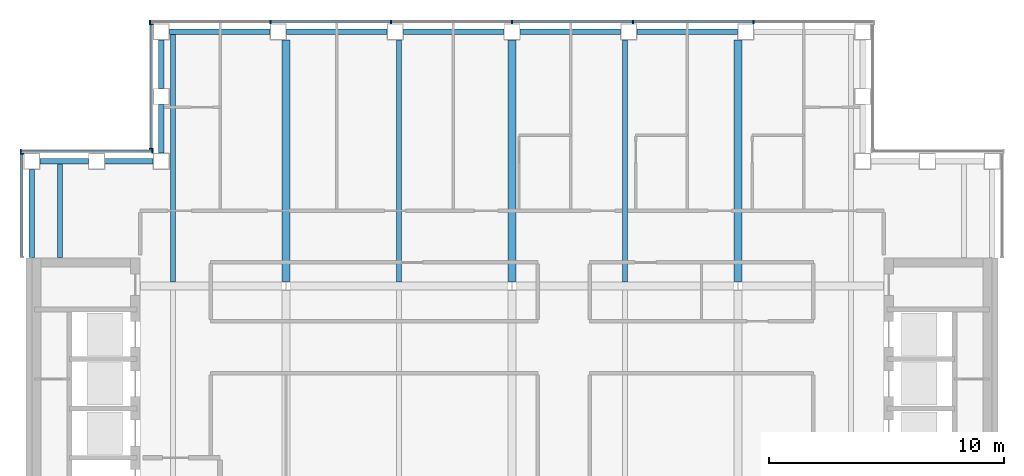
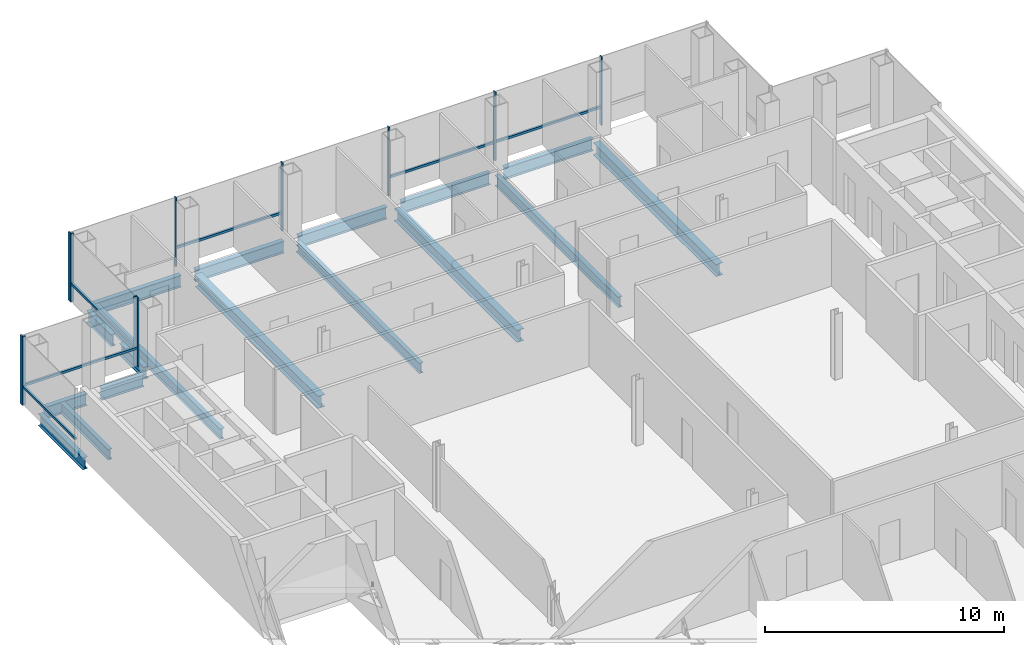
# One storey, part 7 of 15: 17 beams, 17 members, 4 elements without a shape of their own.
"""IFC4 building model written with IfcOpenShell, lengths in metres."""

from ifc_helpers import new_model, si_unit, direction, frame, origin, origin_2d, place, context, subcontext, project, spatial, rectangle, i_section, extrude, material, material_profile, profile_set, type_object, element, aggregate, save


model = new_model("IFC4")

# Units and contexts
model_context = context("Model", 3, precision=1e-05, world=origin(), true_north=direction((0.0, 1.0)))
body_context = subcontext(model_context, "Body", "Model", "MODEL_VIEW")
ifc_project = project(units=[si_unit("LENGTHUNIT", "METRE"), si_unit("AREAUNIT", "SQUARE_METRE"), si_unit("VOLUMEUNIT", "CUBIC_METRE"), si_unit("PLANEANGLEUNIT", "RADIAN"), si_unit("MASSUNIT", "GRAM", prefix="KILO")], contexts=[model_context])

# Site, building, storey
site_placement = place(None, origin())
site = spatial("IfcSite", under=ifc_project, at=site_placement, CompositionType="ELEMENT")
building_placement = place(site_placement, origin())
building = spatial("IfcBuilding", under=site, at=building_placement, Name="Cobrizo Arcos Hotel Tower", CompositionType="ELEMENT")
storey_placement = place(building_placement, frame((0.0, 0.0, 215.5)))
storey = spatial("IfcBuildingStorey", under=building, at=storey_placement, Name="L56", CompositionType="ELEMENT", Elevation=215.5)

# Curtain wall, members
ifc_material_1 = material(Name="Aluminium 6063-T6 anodised bronze", Category="aluminium")
curtain_wall_type = type_object("IfcCurtainWallType", Name="CW-A guest facade", PredefinedType="NOTDEFINED", material=ifc_material_1)
curtain_wall_1_placement = place(storey_placement, origin())
curtain_wall_1 = element("IfcCurtainWall", 1, at=curtain_wall_1_placement, inside=storey, type_object=curtain_wall_type, Name="CW-A L56 N face", PredefinedType="NOTDEFINED")
ifc_material_profile_1 = material_profile(ifc_material_1, rectangle(XDim=0.14990234375, YDim=0.06005859375, at=origin_2d()), Name="CW-A mullion 150x60")
ifc_profile_set_1 = profile_set([ifc_material_profile_1], Name="Aluminium 6063-T6 anodised bronze")
member_type_1 = type_object("IfcMemberType", Name="CW-A mullion 150x60", PredefinedType="MULLION", material=ifc_profile_set_1)
member_1_placement = place(storey_placement, frame((10.2666015625, 20.824951171875, 0.0), z_axis=(0.0, 0.0, 1.0), x_axis=(0.0, 1.0, 0.0)))
member_1 = element("IfcMember", 2, at=member_1_placement, type_object=member_type_1, Name="CW-A mullion 2", PredefinedType="MULLION", context=body_context, shape_type="SweptSolid", body=[
    extrude(rectangle(XDim=0.14990234375, YDim=0.06005859375, at=origin_2d()), origin(), (0.0, 0.0, 1.0), 3.5),
])
member_2_placement = place(storey_placement, frame((5.13330078125, 20.824951171875, 0.0), z_axis=(0.0, 0.0, 1.0), x_axis=(0.0, 1.0, 0.0)))
member_2 = element("IfcMember", 3, at=member_2_placement, type_object=member_type_1, Name="CW-A mullion 3", PredefinedType="MULLION", context=body_context, shape_type="SweptSolid", body=[
    extrude(rectangle(XDim=0.14990234375, YDim=0.06005859375, at=origin_2d()), origin(), (0.0, 0.0, 1.0), 3.5),
])
member_3_placement = place(storey_placement, frame((0.0, 20.824951171875, 0.0), z_axis=(0.0, 0.0, 1.0), x_axis=(0.0, 1.0, 0.0)))
member_3 = element("IfcMember", 4, at=member_3_placement, type_object=member_type_1, Name="CW-A mullion 4", PredefinedType="MULLION", context=body_context, shape_type="SweptSolid", body=[
    extrude(rectangle(XDim=0.14990234375, YDim=0.06005859375, at=origin_2d()), origin(), (0.0, 0.0, 1.0), 3.5),
])
member_4_placement = place(storey_placement, frame((-5.13330078125, 20.824951171875, 0.0), z_axis=(0.0, 0.0, 1.0), x_axis=(0.0, 1.0, 0.0)))
member_4 = element("IfcMember", 5, at=member_4_placement, type_object=member_type_1, Name="CW-A mullion 5", PredefinedType="MULLION", context=body_context, shape_type="SweptSolid", body=[
    extrude(rectangle(XDim=0.14990234375, YDim=0.06005859375, at=origin_2d()), origin(), (0.0, 0.0, 1.0), 3.5),
])
member_5_placement = place(storey_placement, frame((-10.2666015625, 20.824951171875, 0.0), z_axis=(0.0, 0.0, 1.0), x_axis=(0.0, 1.0, 0.0)))
member_5 = element("IfcMember", 6, at=member_5_placement, type_object=member_type_1, Name="CW-A mullion 6", PredefinedType="MULLION", context=body_context, shape_type="SweptSolid", body=[
    extrude(rectangle(XDim=0.14990234375, YDim=0.06005859375, at=origin_2d()), origin(), (0.0, 0.0, 1.0), 3.5),
])
member_6_placement = place(storey_placement, frame((-15.3701171875, 20.824951171875, 0.0), z_axis=(0.0, 0.0, 1.0), x_axis=(0.0, 1.0, 0.0)))
member_6 = element("IfcMember", 7, at=member_6_placement, type_object=member_type_1, Name="CW-A mullion 7", PredefinedType="MULLION", context=body_context, shape_type="SweptSolid", body=[
    extrude(rectangle(XDim=0.14990234375, YDim=0.06005859375, at=origin_2d()), origin(), (0.0, 0.0, 1.0), 3.5),
])

curtain_wall_2_placement = place(storey_placement, origin())
curtain_wall_2 = element("IfcCurtainWall", 8, at=curtain_wall_2_placement, inside=storey, type_object=curtain_wall_type, Name="CW-A L56 W face", PredefinedType="NOTDEFINED")
member_7_placement = place(storey_placement, frame((-15.324951171875, 20.719970703125, 0.0), z_axis=(0.0, 0.0, 1.0), x_axis=(-1.0, 0.0, 0.0)))
member_7 = element("IfcMember", 9, at=member_7_placement, type_object=member_type_1, Name="CW-A mullion 1", PredefinedType="MULLION", context=body_context, shape_type="SweptSolid", body=[
    extrude(rectangle(XDim=0.14990234375, YDim=0.06005859375, at=origin_2d()), origin(), (0.0, 0.0, 1.0), 3.5),
])
member_8_placement = place(storey_placement, frame((-15.324951171875, 15.429931640625, 0.0), z_axis=(0.0, 0.0, 1.0), x_axis=(-1.0, 0.0, 0.0)))
member_8 = element("IfcMember", 10, at=member_8_placement, type_object=member_type_1, Name="CW-A mullion 2", PredefinedType="MULLION", context=body_context, shape_type="SweptSolid", body=[
    extrude(rectangle(XDim=0.14990234375, YDim=0.06005859375, at=origin_2d()), origin(), (0.0, 0.0, 1.0), 3.5),
])

curtain_wall_3_placement = place(storey_placement, origin())
curtain_wall_3 = element("IfcCurtainWall", 11, at=curtain_wall_3_placement, inside=storey, type_object=curtain_wall_type, Name="CW-A L56 N face", PredefinedType="NOTDEFINED")
member_9_placement = place(storey_placement, frame((-15.280029296875, 15.324951171875, 0.0), z_axis=(0.0, 0.0, 1.0), x_axis=(0.0, 1.0, 0.0)))
member_9 = element("IfcMember", 12, at=member_9_placement, type_object=member_type_1, Name="CW-A mullion 1", PredefinedType="MULLION", context=body_context, shape_type="SweptSolid", body=[
    extrude(rectangle(XDim=0.14990234375, YDim=0.06005859375, at=origin_2d()), origin(), (0.0, 0.0, 1.0), 3.5),
])
member_10_placement = place(storey_placement, frame((-20.8701171875, 15.324951171875, 0.0), z_axis=(0.0, 0.0, 1.0), x_axis=(0.0, 1.0, 0.0)))
member_10 = element("IfcMember", 13, at=member_10_placement, type_object=member_type_1, Name="CW-A mullion 2", PredefinedType="MULLION", context=body_context, shape_type="SweptSolid", body=[
    extrude(rectangle(XDim=0.14990234375, YDim=0.06005859375, at=origin_2d()), origin(), (0.0, 0.0, 1.0), 3.5),
])

# Curtain wall, member
curtain_wall_4_placement = place(storey_placement, origin())
curtain_wall_4 = element("IfcCurtainWall", 14, at=curtain_wall_4_placement, inside=storey, type_object=curtain_wall_type, Name="CW-A L56 W face", PredefinedType="NOTDEFINED")
member_11_placement = place(storey_placement, frame((-20.824951171875, 15.219970703125, 0.0), z_axis=(0.0, 0.0, 1.0), x_axis=(-1.0, 0.0, 0.0)))
member_11 = element("IfcMember", 15, at=member_11_placement, type_object=member_type_1, Name="CW-A mullion 1", PredefinedType="MULLION", context=body_context, shape_type="SweptSolid", body=[
    extrude(rectangle(XDim=0.14990234375, YDim=0.06005859375, at=origin_2d()), origin(), (0.0, 0.0, 1.0), 3.5),
])

# Member
ifc_material_profile_2 = material_profile(ifc_material_1, rectangle(XDim=0.10009765625, YDim=0.1201171875, at=origin_2d()), Name="CW-A transom 120x100")
ifc_profile_set_2 = profile_set([ifc_material_profile_2], Name="Aluminium 6063-T6 anodised bronze")
member_type_2 = type_object("IfcMemberType", Name="CW-A transom 120x100", PredefinedType="USERDEFINED", material=ifc_profile_set_2)
member_12_placement = place(storey_placement, frame((10.236572265625, 20.824951171875, 0.929931640625), z_axis=(-1.0, 0.0, 0.0), x_axis=(0.0, -1.0, 0.0)))
member_12 = element("IfcMember", 16, at=member_12_placement, type_object=member_type_2, Name="CW-A transom 1877", ObjectType="TRANSOM", PredefinedType="USERDEFINED", context=body_context, shape_type="SweptSolid", body=[
    extrude(rectangle(XDim=0.10009765625, YDim=0.1201171875, at=origin_2d()), origin(), (0.0, 0.0, 1.0), 5.0732421875),
])

member_13_placement = place(storey_placement, frame((5.103271484375, 20.824951171875, 0.929931640625), z_axis=(-1.0, 0.0, 0.0), x_axis=(0.0, -1.0, 0.0)))
member_13 = element("IfcMember", 17, at=member_13_placement, type_object=member_type_2, Name="CW-A transom 1878", ObjectType="TRANSOM", PredefinedType="USERDEFINED", context=body_context, shape_type="SweptSolid", body=[
    extrude(rectangle(XDim=0.10009765625, YDim=0.1201171875, at=origin_2d()), origin(), (0.0, 0.0, 1.0), 5.0732421875),
])

member_14_placement = place(storey_placement, frame((-5.163330078125, 20.824951171875, 0.929931640625), z_axis=(-1.0, 0.0, 0.0), x_axis=(0.0, -1.0, 0.0)))
member_14 = element("IfcMember", 18, at=member_14_placement, type_object=member_type_2, Name="CW-A transom 1880", ObjectType="TRANSOM", PredefinedType="USERDEFINED", context=body_context, shape_type="SweptSolid", body=[
    extrude(rectangle(XDim=0.10009765625, YDim=0.1201171875, at=origin_2d()), origin(), (0.0, 0.0, 1.0), 5.0732421875),
])

aggregate(curtain_wall_1, [member_1, member_2, member_3, member_4, member_5, member_6, member_12, member_13, member_14])

member_15_placement = place(storey_placement, frame((-15.324951171875, 20.68994140625, 0.929931640625), z_axis=(0.0, -1.0, 0.0), x_axis=(1.0, 0.0, 0.0)))
member_15 = element("IfcMember", 19, at=member_15_placement, type_object=member_type_2, Name="CW-A transom 1882", ObjectType="TRANSOM", PredefinedType="USERDEFINED", context=body_context, shape_type="SweptSolid", body=[
    extrude(rectangle(XDim=0.10009765625, YDim=0.1201171875, at=origin_2d()), origin(), (0.0, 0.0, 1.0), 5.22998046875),
])

aggregate(curtain_wall_2, [member_7, member_8, member_15])

member_16_placement = place(storey_placement, frame((-15.31005859375, 15.324951171875, 0.929931640625), z_axis=(-1.0, 0.0, 0.0), x_axis=(0.0, -1.0, 0.0)))
member_16 = element("IfcMember", 20, at=member_16_placement, type_object=member_type_2, Name="CW-A transom 1883", ObjectType="TRANSOM", PredefinedType="USERDEFINED", context=body_context, shape_type="SweptSolid", body=[
    extrude(rectangle(XDim=0.10009765625, YDim=0.1201171875, at=origin_2d()), origin(), (0.0, 0.0, 1.0), 5.530029296875),
])

aggregate(curtain_wall_3, [member_9, member_10, member_16])

member_17_placement = place(storey_placement, frame((-20.824951171875, 15.18994140625, 0.929931640625), z_axis=(0.0, -1.0, 0.0), x_axis=(1.0, 0.0, 0.0)))
member_17 = element("IfcMember", 21, at=member_17_placement, type_object=member_type_2, Name="CW-A transom 1884", ObjectType="TRANSOM", PredefinedType="USERDEFINED", context=body_context, shape_type="SweptSolid", body=[
    extrude(rectangle(XDim=0.10009765625, YDim=0.1201171875, at=origin_2d()), origin(), (0.0, 0.0, 1.0), 4.329833984375),
])

aggregate(curtain_wall_4, [member_11, member_17])

# Beams
ifc_material_2 = material(Name="Steel ASTM A992 Grade 50", Category="steel")
ifc_material_profile_3 = material_profile(ifc_material_2, i_section(OverallWidth=0.209228515625, OverallDepth=0.533447265625, WebThickness=0.01025390625, FlangeThickness=0.015625, at=origin_2d()), Name="W21X62")
ifc_profile_set_3 = profile_set([ifc_material_profile_3], Name="Steel ASTM A992 Grade 50")
beam_type_1 = type_object("IfcBeamType", Name="W21X62 joist", PredefinedType="JOIST", material=ifc_profile_set_3)
beam_1_placement = place(storey_placement, frame((-19.199951171875, 10.81005859375, -0.416748046875), z_axis=(0.0, 1.0, 0.0), x_axis=(-1.0, 0.0, 0.0)))
element("IfcBeam", 22, at=beam_1_placement, inside=storey, type_object=beam_type_1, Name="Floor joist J1, L56, no. 002", PredefinedType="JOIST", context=body_context, shape_type="SweptSolid", body=[
    extrude(i_section(OverallWidth=0.209228515625, OverallDepth=0.533447265625, WebThickness=0.01025390625, FlangeThickness=0.015625, at=origin_2d()), origin(), (0.0, 0.0, 1.0), 4.0),
])
beam_2_placement = place(storey_placement, frame((-14.39990234375, 9.763916015625, -0.416748046875), z_axis=(0.0, 1.0, 0.0), x_axis=(-1.0, 0.0, 0.0)))
element("IfcBeam", 23, at=beam_2_placement, inside=storey, type_object=beam_type_1, Name="Floor joist J1, L56, no. 006", PredefinedType="JOIST", context=body_context, shape_type="SweptSolid", body=[
    extrude(i_section(OverallWidth=0.209228515625, OverallDepth=0.533447265625, WebThickness=0.01025390625, FlangeThickness=0.015625, at=origin_2d()), origin(), (0.0, 0.0, 1.0), 10.546142578125),
])
for number, where, z_axis, x_axis, name in (
    (24, (-4.800048828125, 9.763916015625, -0.416748046875), (0.0, 1.0, 0.0), (-1.0, 0.0, 0.0), "Floor joist J1, L56, no. 010"),
    (25, (4.800048828125, 9.763916015625, -0.416748046875), (0.0, 1.0, 0.0), (-1.0, 0.0, 0.0), "Floor joist J1, L56, no. 014"),
):
    element("IfcBeam", number, at=place(storey_placement, frame(where, z_axis=z_axis, x_axis=x_axis)), inside=storey, type_object=beam_type_1, Name=name, PredefinedType="JOIST", context=body_context, shape_type="SweptSolid", body=[
        extrude(i_section(OverallWidth=0.209228515625, OverallDepth=0.533447265625, WebThickness=0.01025390625, FlangeThickness=0.015625, at=origin_2d()), origin(), (0.0, 0.0, 1.0), 10.2861328125),
    ])
ifc_material_profile_4 = material_profile(ifc_material_2, i_section(OverallWidth=0.32763671875, OverallDepth=0.622314453125, WebThickness=0.015380859375, FlangeThickness=0.0244140625, at=origin_2d()), Name="W24X131")
ifc_profile_set_4 = profile_set([ifc_material_profile_4], Name="Steel ASTM A992 Grade 50")
beam_type_2 = type_object("IfcBeamType", Name="W24X131 girder", PredefinedType="BEAM", material=ifc_profile_set_4)
for number, where, z_axis, x_axis, name in (
    (26, (-9.60009765625, 9.78662109375, -0.461181640625), (0.0, 1.0, 0.0), (-1.0, 0.0, 0.0), "Floor girder G1, L56, no. 016"),
    (27, (0.0, 9.78662109375, -0.461181640625), (0.0, 1.0, 0.0), (-1.0, 0.0, 0.0), "Floor girder G1, L56, no. 020"),
    (28, (9.60009765625, 9.78662109375, -0.461181640625), (0.0, 1.0, 0.0), (-1.0, 0.0, 0.0), "Floor girder G1, L56, no. 024"),
):
    element("IfcBeam", number, at=place(storey_placement, frame(where, z_axis=z_axis, x_axis=x_axis)), inside=storey, type_object=beam_type_2, Name=name, PredefinedType="BEAM", context=body_context, shape_type="SweptSolid", body=[
        extrude(i_section(OverallWidth=0.32763671875, OverallDepth=0.622314453125, WebThickness=0.015380859375, FlangeThickness=0.0244140625, at=origin_2d()), origin(), (0.0, 0.0, 1.0), 10.263427734375),
    ])
ifc_material_profile_5 = material_profile(ifc_material_2, i_section(OverallWidth=0.228271484375, OverallDepth=0.607177734375, WebThickness=0.01123046875, FlangeThickness=0.017333984375, at=origin_2d()), Name="W24X76")
ifc_profile_set_5 = profile_set([ifc_material_profile_5], Name="Steel ASTM A992 Grade 50")
beam_type_3 = type_object("IfcBeamType", Name="W24X76 spandrel", PredefinedType="SPANDREL", material=ifc_profile_set_5)
beam_3_placement = place(storey_placement, frame((9.5830078125, 20.39990234375, -0.45361328125), z_axis=(-1.0, 0.0, 0.0), x_axis=(0.0, -1.0, 0.0)))
element("IfcBeam", 29, at=beam_3_placement, inside=storey, type_object=beam_type_3, Name="Spandrel beam W24X76, L56, no. 018", PredefinedType="SPANDREL", context=body_context, shape_type="SweptSolid", body=[
    extrude(i_section(OverallWidth=0.228271484375, OverallDepth=0.607177734375, WebThickness=0.01123046875, FlangeThickness=0.017333984375, at=origin_2d()), origin(), (0.0, 0.0, 1.0), 4.26611328125),
])
for number, where, z_axis, x_axis, name in (
    (30, (4.616943359375, 20.39990234375, -0.45361328125), (-1.0, 0.0, 0.0), (0.0, -1.0, 0.0), "Spandrel beam W24X76, L56, no. 019"),
    (31, (-0.35009765625, 20.39990234375, -0.45361328125), (-1.0, 0.0, 0.0), (0.0, -1.0, 0.0), "Spandrel beam W24X76, L56, no. 020"),
):
    element("IfcBeam", number, at=place(storey_placement, frame(where, z_axis=z_axis, x_axis=x_axis)), inside=storey, type_object=beam_type_3, Name=name, PredefinedType="SPANDREL", context=body_context, shape_type="SweptSolid", body=[
        extrude(i_section(OverallWidth=0.228271484375, OverallDepth=0.607177734375, WebThickness=0.01123046875, FlangeThickness=0.017333984375, at=origin_2d()), origin(), (0.0, 0.0, 1.0), 4.266845703125),
    ])
beam_4_placement = place(storey_placement, frame((-5.31689453125, 20.39990234375, -0.45361328125), z_axis=(-1.0, 0.0, 0.0), x_axis=(0.0, -1.0, 0.0)))
element("IfcBeam", 32, at=beam_4_placement, inside=storey, type_object=beam_type_3, Name="Spandrel beam W24X76, L56, no. 021", PredefinedType="SPANDREL", context=body_context, shape_type="SweptSolid", body=[
    extrude(i_section(OverallWidth=0.228271484375, OverallDepth=0.607177734375, WebThickness=0.01123046875, FlangeThickness=0.017333984375, at=origin_2d()), origin(), (0.0, 0.0, 1.0), 4.26611328125),
])
beam_5_placement = place(storey_placement, frame((-10.282958984375, 20.39990234375, -0.45361328125), z_axis=(-1.0, 0.0, 0.0), x_axis=(0.0, -1.0, 0.0)))
element("IfcBeam", 33, at=beam_5_placement, inside=storey, type_object=beam_type_3, Name="Spandrel beam W24X76, L56, no. 022", PredefinedType="SPANDREL", context=body_context, shape_type="SweptSolid", body=[
    extrude(i_section(OverallWidth=0.228271484375, OverallDepth=0.607177734375, WebThickness=0.01123046875, FlangeThickness=0.017333984375, at=origin_2d()), origin(), (0.0, 0.0, 1.0), 4.26708984375),
])
for number, where, z_axis, x_axis, name in (
    (34, (-14.89990234375, 20.050048828125, -0.45361328125), (0.0, -1.0, 0.0), (1.0, 0.0, 0.0), "Spandrel beam W24X76, L56, no. 023"),
    (35, (-14.89990234375, 17.300048828125, -0.45361328125), (0.0, -1.0, 0.0), (1.0, 0.0, 0.0), "Spandrel beam W24X76, L56, no. 024"),
    (36, (-15.25, 14.89990234375, -0.45361328125), (-1.0, 0.0, 0.0), (0.0, -1.0, 0.0), "Spandrel beam W24X76, L56, no. 025"),
    (37, (-18.0, 14.89990234375, -0.45361328125), (-1.0, 0.0, 0.0), (0.0, -1.0, 0.0), "Spandrel beam W24X76, L56, no. 026"),
):
    element("IfcBeam", number, at=place(storey_placement, frame(where, z_axis=z_axis, x_axis=x_axis)), inside=storey, type_object=beam_type_3, Name=name, PredefinedType="SPANDREL", context=body_context, shape_type="SweptSolid", body=[
        extrude(i_section(OverallWidth=0.228271484375, OverallDepth=0.607177734375, WebThickness=0.01123046875, FlangeThickness=0.017333984375, at=origin_2d()), origin(), (0.0, 0.0, 1.0), 2.050048828125),
    ])
beam_6_placement = place(storey_placement, frame((-20.39990234375, 14.550048828125, -0.45361328125), z_axis=(0.0, -1.0, 0.0), x_axis=(1.0, 0.0, 0.0)))
element("IfcBeam", 38, at=beam_6_placement, inside=storey, type_object=beam_type_3, Name="Spandrel beam W24X76, L56, no. 027", PredefinedType="SPANDREL", context=body_context, shape_type="SweptSolid", body=[
    extrude(i_section(OverallWidth=0.228271484375, OverallDepth=0.607177734375, WebThickness=0.01123046875, FlangeThickness=0.017333984375, at=origin_2d()), origin(), (0.0, 0.0, 1.0), 3.739990234375),
])

save(model, "model.ifc")
